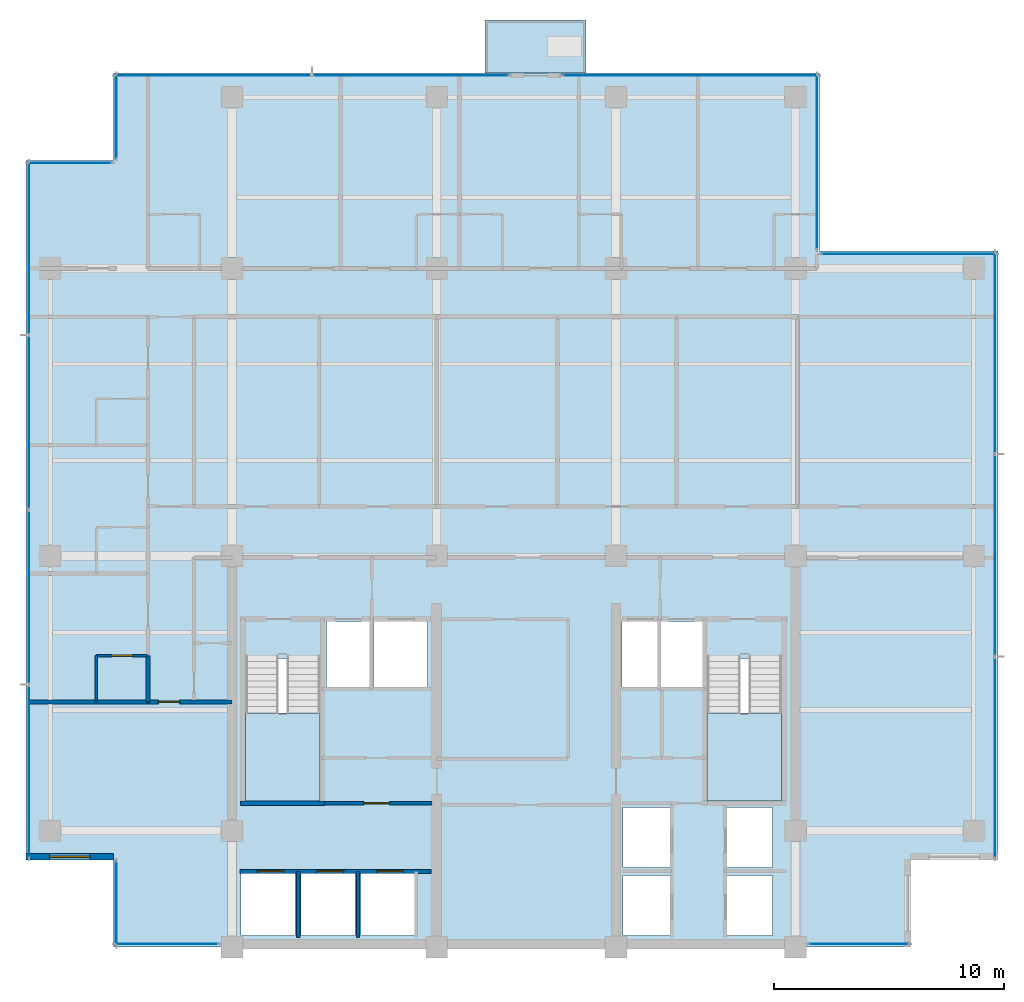
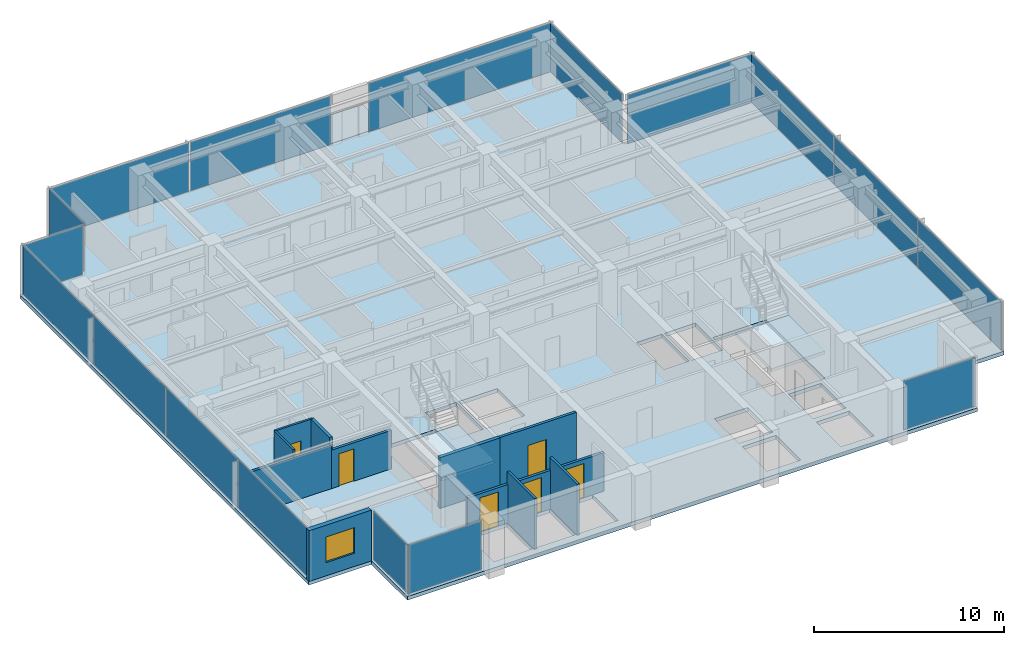
# One storey, part 6 of 15: 17 plates, 11 walls, 6 doors, 4 slabs, 1 window, 7 openings, 13 elements without a shape of their own.
"""IFC4 building model written with IfcOpenShell, lengths in metres."""

from ifc_helpers import new_model, si_unit, direction, frame, frame_2d, origin, origin_2d, place, context, subcontext, project, spatial, polyline, rectangle, outline, extrude, material, layer, layer_set, type_object, element, fill, aggregate, save


model = new_model("IFC4")

# Units and contexts
model_context = context("Model", 3, precision=1e-05, world=origin(), true_north=direction((0.0, 1.0)))
body_context = subcontext(model_context, "Body", "Model", "MODEL_VIEW")
ifc_project = project(units=[si_unit("LENGTHUNIT", "METRE"), si_unit("AREAUNIT", "SQUARE_METRE"), si_unit("VOLUMEUNIT", "CUBIC_METRE"), si_unit("PLANEANGLEUNIT", "RADIAN"), si_unit("MASSUNIT", "GRAM", prefix="KILO")], contexts=[model_context])

# Site, building, storey
site_placement = place(None, origin())
site = spatial("IfcSite", under=ifc_project, at=site_placement, CompositionType="ELEMENT")
building_placement = place(site_placement, origin())
building = spatial("IfcBuilding", under=site, at=building_placement, Name="Qalmaran Belvedere Hotel", CompositionType="ELEMENT")
storey_placement = place(building_placement, frame((0.0, 0.0, 203.89990234375)))
storey = spatial("IfcBuildingStorey", under=building, at=storey_placement, Name="L51", CompositionType="ELEMENT", Elevation=203.89990234375)

# Curtain wall, plate
ifc_material_1 = material(Name="Anodised Bronze Aluminium", Category="aluminium")
ifc_layer_1 = layer(ifc_material_1, 0.18994140625, Name="Anodised Bronze Aluminium")
ifc_layer_set_1 = layer_set([ifc_layer_1], Name="Anodised Bronze Aluminium")
curtain_wall_type = type_object("IfcCurtainWallType", Name="CW5-TOWER-UPPER", PredefinedType="NOTDEFINED", material=ifc_layer_set_1)
curtain_wall_1_placement = place(storey_placement, origin())
curtain_wall_1 = element("IfcCurtainWall", 1, at=curtain_wall_1_placement, inside=storey, type_object=curtain_wall_type, Name="L51 Curtain Wall CW5", PredefinedType="NOTDEFINED")
ifc_material_2 = material(Name="Solar-Control Double Glazing", Category="glass")
ifc_layer_2 = layer(ifc_material_2, 0.028076171875, Name="Solar-Control Double Glazing")
ifc_layer_set_2 = layer_set([ifc_layer_2], Name="Solar-Control Double Glazing")
plate_type = type_object("IfcPlateType", Name="CWP-VISION-28", PredefinedType="CURTAIN_PANEL", material=ifc_layer_set_2)
plate_1_placement = place(storey_placement, frame((17.467529296875, 3.6201171875, 0.065185546875), z_axis=(0.0, 0.0, 1.0), x_axis=(1.0, 0.0, 0.0)))
plate_1 = element("IfcPlate", 2, at=plate_1_placement, type_object=plate_type, Name="CW5 panel 1.1", PredefinedType="CURTAIN_PANEL", context=body_context, shape_type="SweptSolid", body=[
    extrude(rectangle(XDim=4.5048828125, YDim=0.028076171875, at=origin_2d()), origin(), (0.0, 0.0, 1.0), 3.1298828125),
])
aggregate(curtain_wall_1, [plate_1])

curtain_wall_2_placement = place(storey_placement, origin())
curtain_wall_2 = element("IfcCurtainWall", 3, at=curtain_wall_2_placement, inside=storey, type_object=curtain_wall_type, Name="L51 Curtain Wall CW5", PredefinedType="NOTDEFINED")
plate_2_placement = place(storey_placement, frame((47.5576171875, 3.6201171875, 0.065185546875), z_axis=(0.0, 0.0, 1.0), x_axis=(1.0, 0.0, 0.0)))
plate_2 = element("IfcPlate", 4, at=plate_2_placement, type_object=plate_type, Name="CW5 panel 1.1", PredefinedType="CURTAIN_PANEL", context=body_context, shape_type="SweptSolid", body=[
    extrude(rectangle(XDim=4.35498046875, YDim=0.028076171875, at=origin_2d()), origin(), (0.0, 0.0, 1.0), 3.1298828125),
])
aggregate(curtain_wall_2, [plate_2])

# Curtain wall, plates
curtain_wall_3_placement = place(storey_placement, origin())
curtain_wall_3 = element("IfcCurtainWall", 5, at=curtain_wall_3_placement, inside=storey, type_object=curtain_wall_type, Name="L51 Curtain Wall CW5", PredefinedType="NOTDEFINED")
plate_3_placement = place(storey_placement, frame((53.47998046875, 11.724609375, 0.065185546875), z_axis=(0.0, 0.0, 1.0), x_axis=(0.0, 1.0, 0.0)))
plate_3 = element("IfcPlate", 6, at=plate_3_placement, type_object=plate_type, Name="CW5 panel 1.1", PredefinedType="CURTAIN_PANEL", context=body_context, shape_type="SweptSolid", body=[
    extrude(rectangle(XDim=8.71923828125, YDim=0.028076171875, at=origin_2d()), origin(), (0.0, 0.0, 1.0), 3.1298828125),
])
plate_4_placement = place(storey_placement, frame((53.47998046875, 20.52490234375, 0.065185546875), z_axis=(0.0, 0.0, 1.0), x_axis=(0.0, 1.0, 0.0)))
plate_4 = element("IfcPlate", 7, at=plate_4_placement, type_object=plate_type, Name="CW5 panel 2.1", PredefinedType="CURTAIN_PANEL", context=body_context, shape_type="SweptSolid", body=[
    extrude(rectangle(XDim=8.751708984375, YDim=0.028076171875, at=origin_2d()), origin(), (0.0, 0.0, 1.0), 3.1298828125),
])
plate_5_placement = place(storey_placement, frame((53.47998046875, 29.325439453125, 0.065185546875), z_axis=(0.0, 0.0, 1.0), x_axis=(0.0, 1.0, 0.0)))
plate_5 = element("IfcPlate", 8, at=plate_5_placement, type_object=plate_type, Name="CW5 panel 3.1", PredefinedType="CURTAIN_PANEL", context=body_context, shape_type="SweptSolid", body=[
    extrude(rectangle(XDim=8.71923828125, YDim=0.028076171875, at=origin_2d()), origin(), (0.0, 0.0, 1.0), 3.1298828125),
])
aggregate(curtain_wall_3, [plate_3, plate_4, plate_5])

# Curtain wall, plate
curtain_wall_4_placement = place(storey_placement, origin())
curtain_wall_4 = element("IfcCurtainWall", 9, at=curtain_wall_4_placement, inside=storey, type_object=curtain_wall_type, Name="L51 Curtain Wall CW5", PredefinedType="NOTDEFINED")
plate_6_placement = place(storey_placement, frame((49.72509765625, 33.6298828125, 0.065185546875), z_axis=(0.0, 0.0, 1.0), x_axis=(-1.0, 0.0, 0.0)))
plate_6 = element("IfcPlate", 10, at=plate_6_placement, type_object=plate_type, Name="CW5 panel 1.1", PredefinedType="CURTAIN_PANEL", context=body_context, shape_type="SweptSolid", body=[
    extrude(rectangle(XDim=7.6201171875, YDim=0.028076171875, at=origin_2d()), origin(), (0.0, 0.0, 1.0), 3.1298828125),
])
aggregate(curtain_wall_4, [plate_6])

curtain_wall_5_placement = place(storey_placement, origin())
curtain_wall_5 = element("IfcCurtainWall", 11, at=curtain_wall_5_placement, inside=storey, type_object=curtain_wall_type, Name="L51 Curtain Wall CW5", PredefinedType="NOTDEFINED")
plate_7_placement = place(storey_placement, frame((45.72998046875, 37.625, 0.065185546875), z_axis=(0.0, 0.0, 1.0), x_axis=(0.0, 1.0, 0.0)))
plate_7 = element("IfcPlate", 12, at=plate_7_placement, type_object=plate_type, Name="CW5 panel 1.1", PredefinedType="CURTAIN_PANEL", context=body_context, shape_type="SweptSolid", body=[
    extrude(rectangle(XDim=7.6201171875, YDim=0.028076171875, at=origin_2d()), origin(), (0.0, 0.0, 1.0), 3.1298828125),
])
aggregate(curtain_wall_5, [plate_7])

# Curtain wall, plates
curtain_wall_6_placement = place(storey_placement, origin())
curtain_wall_6 = element("IfcCurtainWall", 13, at=curtain_wall_6_placement, inside=storey, type_object=curtain_wall_type, Name="L51 Curtain Wall CW5", PredefinedType="NOTDEFINED")
plate_8_placement = place(storey_placement, frame((28.0712890625, 41.3798828125, 0.065185546875), z_axis=(0.0, 0.0, 1.0), x_axis=(-1.0, 0.0, 0.0)))
plate_8 = element("IfcPlate", 14, at=plate_8_placement, type_object=plate_type, Name="CW5 panel 1.1", PredefinedType="CURTAIN_PANEL", context=body_context, shape_type="SweptSolid", body=[
    extrude(rectangle(XDim=8.527587890625, YDim=0.028076171875, at=origin_2d()), origin(), (0.0, 0.0, 1.0), 3.1298828125),
])
plate_9_placement = place(storey_placement, frame((19.478759765625, 41.3798828125, 0.065185546875), z_axis=(0.0, 0.0, 1.0), x_axis=(-1.0, 0.0, 0.0)))
plate_9 = element("IfcPlate", 15, at=plate_9_placement, type_object=plate_type, Name="CW5 panel 2.1", PredefinedType="CURTAIN_PANEL", context=body_context, shape_type="SweptSolid", body=[
    extrude(rectangle(XDim=8.527587890625, YDim=0.028076171875, at=origin_2d()), origin(), (0.0, 0.0, 1.0), 3.1298828125),
])
aggregate(curtain_wall_6, [plate_8, plate_9])

# Curtain wall, plate
curtain_wall_7_placement = place(storey_placement, origin())
curtain_wall_7 = element("IfcCurtainWall", 16, at=curtain_wall_7_placement, inside=storey, type_object=curtain_wall_type, Name="L51 Curtain Wall CW5", PredefinedType="NOTDEFINED")
plate_10_placement = place(storey_placement, frame((40.22509765625, 41.3798828125, 0.065185546875), z_axis=(0.0, 0.0, 1.0), x_axis=(-1.0, 0.0, 0.0)))
plate_10 = element("IfcPlate", 17, at=plate_10_placement, type_object=plate_type, Name="CW5 panel 1.1", PredefinedType="CURTAIN_PANEL", context=body_context, shape_type="SweptSolid", body=[
    extrude(rectangle(XDim=11.1201171875, YDim=0.028076171875, at=origin_2d()), origin(), (0.0, 0.0, 1.0), 3.1298828125),
])
aggregate(curtain_wall_7, [plate_10])

curtain_wall_8_placement = place(storey_placement, origin())
curtain_wall_8 = element("IfcCurtainWall", 18, at=curtain_wall_8_placement, inside=storey, type_object=curtain_wall_type, Name="L51 Curtain Wall CW5", PredefinedType="NOTDEFINED")
plate_11_placement = place(storey_placement, frame((15.27001953125, 39.60009765625, 0.065185546875), z_axis=(0.0, 0.0, 1.0), x_axis=(0.0, -1.0, 0.0)))
plate_11 = element("IfcPlate", 19, at=plate_11_placement, type_object=plate_type, Name="CW5 panel 1.1", PredefinedType="CURTAIN_PANEL", context=body_context, shape_type="SweptSolid", body=[
    extrude(rectangle(XDim=3.669921875, YDim=0.028076171875, at=origin_2d()), origin(), (0.0, 0.0, 1.0), 3.1298828125),
])
aggregate(curtain_wall_8, [plate_11])

curtain_wall_9_placement = place(storey_placement, origin())
curtain_wall_9 = element("IfcCurtainWall", 20, at=curtain_wall_9_placement, inside=storey, type_object=curtain_wall_type, Name="L51 Curtain Wall CW5", PredefinedType="NOTDEFINED")
plate_12_placement = place(storey_placement, frame((13.25, 37.580078125, 0.065185546875), z_axis=(0.0, 0.0, 1.0), x_axis=(-1.0, 0.0, 0.0)))
plate_12 = element("IfcPlate", 21, at=plate_12_placement, type_object=plate_type, Name="CW5 panel 1.1", PredefinedType="CURTAIN_PANEL", context=body_context, shape_type="SweptSolid", body=[
    extrude(rectangle(XDim=3.669921875, YDim=0.028076171875, at=origin_2d()), origin(), (0.0, 0.0, 1.0), 3.1298828125),
])
aggregate(curtain_wall_9, [plate_12])

# Curtain wall, plates
curtain_wall_10_placement = place(storey_placement, origin())
curtain_wall_10 = element("IfcCurtainWall", 22, at=curtain_wall_10_placement, inside=storey, type_object=curtain_wall_type, Name="L51 Curtain Wall CW5", PredefinedType="NOTDEFINED")
plate_13_placement = place(storey_placement, frame((11.469970703125, 33.8837890625, 0.065185546875), z_axis=(0.0, 0.0, 1.0), x_axis=(0.0, -1.0, 0.0)))
plate_13 = element("IfcPlate", 23, at=plate_13_placement, type_object=plate_type, Name="CW5 panel 1.1", PredefinedType="CURTAIN_PANEL", context=body_context, shape_type="SweptSolid", body=[
    extrude(rectangle(XDim=7.50244140625, YDim=0.028076171875, at=origin_2d()), origin(), (0.0, 0.0, 1.0), 3.1298828125),
])
plate_14_placement = place(storey_placement, frame((11.469970703125, 26.300048828125, 0.065185546875), z_axis=(0.0, 0.0, 1.0), x_axis=(0.0, -1.0, 0.0)))
plate_14 = element("IfcPlate", 24, at=plate_14_placement, type_object=plate_type, Name="CW5 panel 2.1", PredefinedType="CURTAIN_PANEL", context=body_context, shape_type="SweptSolid", body=[
    extrude(rectangle(XDim=7.534912109375, YDim=0.028076171875, at=origin_2d()), origin(), (0.0, 0.0, 1.0), 3.1298828125),
])
plate_15_placement = place(storey_placement, frame((11.469970703125, 18.699951171875, 0.065185546875), z_axis=(0.0, 0.0, 1.0), x_axis=(0.0, -1.0, 0.0)))
plate_15 = element("IfcPlate", 25, at=plate_15_placement, type_object=plate_type, Name="CW5 panel 3.1", PredefinedType="CURTAIN_PANEL", context=body_context, shape_type="SweptSolid", body=[
    extrude(rectangle(XDim=7.534912109375, YDim=0.028076171875, at=origin_2d()), origin(), (0.0, 0.0, 1.0), 3.1298828125),
])
plate_16_placement = place(storey_placement, frame((11.469970703125, 11.1162109375, 0.065185546875), z_axis=(0.0, 0.0, 1.0), x_axis=(0.0, -1.0, 0.0)))
plate_16 = element("IfcPlate", 26, at=plate_16_placement, type_object=plate_type, Name="CW5 panel 4.1", PredefinedType="CURTAIN_PANEL", context=body_context, shape_type="SweptSolid", body=[
    extrude(rectangle(XDim=7.50244140625, YDim=0.028076171875, at=origin_2d()), origin(), (0.0, 0.0, 1.0), 3.1298828125),
])
aggregate(curtain_wall_10, [plate_13, plate_14, plate_15, plate_16])

# Curtain wall, plate
curtain_wall_11_placement = place(storey_placement, origin())
curtain_wall_11 = element("IfcCurtainWall", 27, at=curtain_wall_11_placement, inside=storey, type_object=curtain_wall_type, Name="L51 Curtain Wall CW5", PredefinedType="NOTDEFINED")
plate_17_placement = place(storey_placement, frame((15.27001953125, 5.39990234375, 0.065185546875), z_axis=(0.0, 0.0, 1.0), x_axis=(0.0, -1.0, 0.0)))
plate_17 = element("IfcPlate", 28, at=plate_17_placement, type_object=plate_type, Name="CW5 panel 1.1", PredefinedType="CURTAIN_PANEL", context=body_context, shape_type="SweptSolid", body=[
    extrude(rectangle(XDim=3.669921875, YDim=0.028076171875, at=origin_2d()), origin(), (0.0, 0.0, 1.0), 3.1298828125),
])
aggregate(curtain_wall_11, [plate_17])

# Slab
ifc_material_3 = material(Name="Concrete C40/50", Category="concrete")
ifc_layer_3 = layer(ifc_material_3, 0.219970703125, Name="Concrete C40/50")
ifc_layer_set_3 = layer_set([ifc_layer_3], Name="Concrete C40/50")
slab_type_1 = type_object("IfcSlabType", Name="SLB-BAL-220", PredefinedType="USERDEFINED", material=ifc_layer_set_3)
slab_1_placement = place(storey_placement, frame((0.0, 0.0, -0.219970703125)))
element("IfcSlab", 29, at=slab_1_placement, inside=storey, type_object=slab_type_1, Name="L51 Planted Tree Balcony Slab 1", ObjectType="BALCONY", PredefinedType="USERDEFINED", context=body_context, shape_type="SweptSolid", body=[
    extrude(outline(polyline([(31.300048828125, 41.5), (35.699951171875, 41.5), (35.699951171875, 43.800048828125), (31.300048828125, 43.800048828125), (31.300048828125, 41.5)])), origin(), (0.0, 0.0, 1.0), 0.219970703125),
])

# Stair, slab
stair_type_1 = type_object("IfcStairType", Name="STR-ST-1-1450-R1750", PredefinedType="HALF_TURN_STAIR", material=ifc_material_3)
stair_1_placement = place(storey_placement, origin())
stair_1 = element("IfcStair", 30, at=stair_1_placement, inside=storey, type_object=stair_type_1, Name="L51 West Core Exit Stair ST-1", PredefinedType="HALF_TURN_STAIR")
ifc_layer_4 = layer(ifc_material_3, 0.199951171875, Name="Concrete C40/50")
ifc_layer_set_4 = layer_set([ifc_layer_4], Name="Concrete C40/50")
slab_type_2 = type_object("IfcSlabType", Name="SLB-STAIR-LANDING-200", PredefinedType="LANDING", material=ifc_layer_set_4)
slab_2_placement = place(storey_placement, frame((0.0, 0.0, 1.550048828125)))
slab_2 = element("IfcSlab", 31, at=slab_2_placement, type_object=slab_type_2, Name="ST-1 landing 1", PredefinedType="LANDING", context=body_context, shape_type="SweptSolid", body=[
    extrude(outline(polyline([(20.8798828125, 13.669921875), (20.8798828125, 9.85009765625), (24.1201171875, 9.85009765625), (24.1201171875, 13.669921875), (20.8798828125, 13.669921875)])), origin(), (0.0, 0.0, 1.0), 0.199951171875),
])
aggregate(stair_1, [slab_2])

stair_type_2 = type_object("IfcStairType", Name="STR-ST-2-1450-R1750", PredefinedType="HALF_TURN_STAIR", material=ifc_material_3)
stair_2_placement = place(storey_placement, origin())
stair_2 = element("IfcStair", 32, at=stair_2_placement, inside=storey, type_object=stair_type_2, Name="L51 East Core Exit Stair ST-2", PredefinedType="HALF_TURN_STAIR")
slab_3_placement = place(storey_placement, frame((0.0, 0.0, 1.550048828125)))
slab_3 = element("IfcSlab", 33, at=slab_3_placement, type_object=slab_type_2, Name="ST-2 landing 1", PredefinedType="LANDING", context=body_context, shape_type="SweptSolid", body=[
    extrude(outline(polyline([(40.9599609375, 13.669921875), (40.9599609375, 9.85009765625), (44.199951171875, 9.85009765625), (44.199951171875, 13.669921875), (40.9599609375, 13.669921875)])), origin(), (0.0, 0.0, 1.0), 0.199951171875),
])
aggregate(stair_2, [slab_3])

# Slab
ifc_layer_5 = layer(ifc_material_3, 0.239990234375, Name="Concrete C40/50")
ifc_layer_set_5 = layer_set([ifc_layer_5], Name="Concrete C40/50")
slab_type_3 = type_object("IfcSlabType", Name="SLB-Z4-240", PredefinedType="FLOOR", material=ifc_layer_set_5)
slab_4_placement = place(storey_placement, frame((0.0, 0.0, -0.239990234375)))
element("IfcSlab", 34, at=slab_4_placement, inside=storey, type_object=slab_type_3, Name="L51 Structural Floor Slab", PredefinedType="FLOOR", context=body_context, shape_type="SweptSolid", body=[
    extrude(outline(polyline([(15.14990234375, 3.5), (49.800048828125, 3.5), (49.800048828125, 7.300048828125), (53.60009765625, 7.300048828125), (53.60009765625, 33.75), (45.85009765625, 33.75), (45.85009765625, 41.5), (15.14990234375, 41.5), (15.14990234375, 37.699951171875), (11.35009765625, 37.699951171875), (11.35009765625, 7.300048828125), (15.14990234375, 7.300048828125), (15.14990234375, 3.5)]), holes=[polyline([(20.8798828125, 9.85009765625), (24.1201171875, 9.85009765625), (24.1201171875, 16.0400390625), (20.8798828125, 16.0400390625), (20.8798828125, 9.85009765625)]), polyline([(40.9599609375, 9.85009765625), (44.199951171875, 9.85009765625), (44.199951171875, 16.0400390625), (40.9599609375, 16.0400390625), (40.9599609375, 9.85009765625)]), polyline([(37.300048828125, 4.0), (39.35009765625, 4.0), (39.35009765625, 6.60009765625), (37.300048828125, 6.60009765625), (37.300048828125, 4.0)]), polyline([(37.300048828125, 6.949951171875), (39.35009765625, 6.949951171875), (39.35009765625, 9.550048828125), (37.300048828125, 9.550048828125), (37.300048828125, 6.949951171875)]), polyline([(41.800048828125, 4.0), (43.800048828125, 4.0), (43.800048828125, 6.60009765625), (41.800048828125, 6.60009765625), (41.800048828125, 4.0)]), polyline([(41.800048828125, 6.949951171875), (43.800048828125, 6.949951171875), (43.800048828125, 9.550048828125), (41.800048828125, 9.550048828125), (41.800048828125, 6.949951171875)]), polyline([(20.699951171875, 4.0), (23.050048828125, 4.0), (23.050048828125, 6.699951171875), (20.699951171875, 6.699951171875), (20.699951171875, 4.0)]), polyline([(23.300048828125, 4.0), (25.64990234375, 4.0), (25.64990234375, 6.699951171875), (23.300048828125, 6.699951171875), (23.300048828125, 4.0)]), polyline([(25.89990234375, 4.0), (28.25, 4.0), (28.25, 6.699951171875), (25.89990234375, 6.699951171875), (25.89990234375, 4.0)]), polyline([(24.39990234375, 14.800048828125), (26.300048828125, 14.800048828125), (26.300048828125, 17.64990234375), (24.39990234375, 17.64990234375), (24.39990234375, 14.800048828125)]), polyline([(38.949951171875, 14.800048828125), (40.820068359375, 14.800048828125), (40.820068359375, 17.64990234375), (38.949951171875, 17.64990234375), (38.949951171875, 14.800048828125)]), polyline([(26.449951171875, 14.800048828125), (28.800048828125, 14.800048828125), (28.800048828125, 17.64990234375), (26.449951171875, 17.64990234375), (26.449951171875, 14.800048828125)]), polyline([(37.25, 14.800048828125), (38.800048828125, 14.800048828125), (38.800048828125, 17.64990234375), (37.25, 17.64990234375), (37.25, 14.800048828125)])]), origin(), (0.0, 0.0, 1.0), 0.239990234375),
])

# Wall, opening, window
ifc_material_4 = material(Name="Anodised Bronze Cladding")
ifc_layer_6 = layer(ifc_material_4, 0.280029296875, Name="Anodised Bronze Cladding")
ifc_layer_set_6 = layer_set([ifc_layer_6], Name="Anodised Bronze Cladding")
wall_type_1 = type_object("IfcWallType", Name="WL-EXT-BRNZ-280", PredefinedType="SOLIDWALL", material=ifc_layer_set_6)
wall_1_placement = place(storey_placement, frame((11.35009765625, 7.419921875, 0.0), z_axis=(0.0, 0.0, 1.0), x_axis=(1.0, 0.0, 0.0)))
wall_1 = element("IfcWall", 35, at=wall_1_placement, inside=storey, type_object=wall_type_1, Name="L51 Corner Notch Wall 10", PredefinedType="SOLIDWALL", context=body_context, shape_type="SweptSolid", body=[
    extrude(rectangle(XDim=3.7998046875, YDim=0.280029296875, at=frame_2d((1.89990234375, 0.0))), origin(), (0.0, 0.0, 1.0), 3.260009765625),
])
opening_1_placement = place(wall_1_placement, frame((1.02490234375, 0.0, 0.85009765625)))
opening_1 = element("IfcOpeningElement", 36, at=opening_1_placement, cuts=wall_1, Name="Opening W-N17", PredefinedType="OPENING", context=body_context, shape_type="SweptSolid", body=[
    extrude(rectangle(XDim=1.75, YDim=1.64990234375, at=frame_2d((0.875, 0.824951171875))), frame((0.0, 0.14990234375, 0.0), z_axis=(0.0, -1.0, 0.0), x_axis=(1.0, 0.0, 0.0)), (0.0, 0.0, 1.0), 0.300048828125),
])
window_type = type_object("IfcWindowType", Name="WN-NTC-1750X1650", PartitioningType="SINGLE_PANEL", PredefinedType="WINDOW", material=ifc_material_2)
window_placement = place(opening_1_placement, origin())
window = element("IfcWindow", 37, at=window_placement, inside=storey, type_object=window_type, Name="L51 Corner Notch Window 10", OverallHeight=1.64990234375, OverallWidth=1.75, PartitioningType="SINGLE_PANEL", PredefinedType="WINDOW", context=body_context, shape_type="SweptSolid", body=[
    extrude(rectangle(XDim=1.75, YDim=1.64990234375, at=frame_2d((0.875, 0.824951171875))), frame((0.0, 0.030029296875, 0.0), z_axis=(0.0, -1.0, 0.0), x_axis=(1.0, 0.0, 0.0)), (0.0, 0.0, 1.0), 0.06005859375),
])
fill(opening_1, window)

# Wall, opening, door
ifc_material_5 = material(Name="Moisture-Resistant Gypsum")
ifc_layer_7 = layer(ifc_material_5, 0.1201171875, Name="Moisture-Resistant Gypsum")
ifc_layer_set_7 = layer_set([ifc_layer_7], Name="Moisture-Resistant Gypsum")
wall_type_2 = type_object("IfcWallType", Name="WL-INT-120-BATH", PredefinedType="PARTITIONING", material=ifc_layer_set_7)
wall_2_placement = place(storey_placement, frame((14.39990234375, 16.159912109375, 0.0), z_axis=(0.0, 0.0, 1.0), x_axis=(1.0, 0.0, 0.0)))
wall_2 = element("IfcWall", 38, at=wall_2_placement, inside=storey, type_object=wall_type_2, Name="L51 Partition WL-L51-WBN00", PredefinedType="PARTITIONING", context=body_context, shape_type="SweptSolid", body=[
    extrude(rectangle(XDim=2.25, YDim=0.1201171875, at=frame_2d((1.125, 0.0))), origin(), (0.0, 0.0, 1.0), 3.260009765625),
])
opening_2_placement = place(wall_2_placement, frame((1.56494140625, 0.0, 0.0), z_axis=(0.0, 0.0, 1.0), x_axis=(-1.0, 0.0, 0.0)))
opening_2 = element("IfcOpeningElement", 39, at=opening_2_placement, cuts=wall_2, Name="Opening D-BATH", PredefinedType="OPENING", context=body_context, shape_type="SweptSolid", body=[
    extrude(rectangle(XDim=0.8798828125, YDim=2.080078125, at=frame_2d((0.43994140625, 1.0400390625))), frame((0.0, 0.070068359375, 0.0), z_axis=(0.0, -1.0, 0.0), x_axis=(1.0, 0.0, 0.0)), (0.0, 0.0, 1.0), 0.14013671875),
])
ifc_material_6 = material(Name="Engineered Oak Veneer")
door_type_1 = type_object("IfcDoorType", Name="DR-INT-BATH-880X2080", OperationType="NOTDEFINED", PredefinedType="DOOR", material=ifc_material_6)
door_1_placement = place(opening_2_placement, origin())
door_1 = element("IfcDoor", 40, at=door_1_placement, inside=storey, type_object=door_type_1, Name="L51 W Ensuite Door 01", OperationType="SINGLE_SWING_RIGHT", OverallHeight=2.080078125, OverallWidth=0.8798828125, PredefinedType="DOOR", context=body_context, shape_type="SweptSolid", body=[
    extrude(rectangle(XDim=0.8798828125, YDim=2.080078125, at=frame_2d((0.43994140625, 1.0400390625))), frame((0.0, 0.02490234375, 0.0), z_axis=(0.0, -1.0, 0.0), x_axis=(1.0, 0.0, 0.0)), (0.0, 0.0, 1.0), 0.050048828125),
])
fill(opening_2, door_1)

# Walls
wall_3_placement = place(storey_placement, frame((14.39990234375, 14.14990234375, 0.0), z_axis=(0.0, 0.0, 1.0), x_axis=(0.0, 1.0, 0.0)))
element("IfcWall", 41, at=wall_3_placement, inside=storey, type_object=wall_type_2, Name="L51 Partition WL-L51-WBS00", PredefinedType="PARTITIONING", context=body_context, shape_type="SweptSolid", body=[
    extrude(rectangle(XDim=2.010009765625, YDim=0.1201171875, at=frame_2d((1.0048828125, 0.0))), origin(), (0.0, 0.0, 1.0), 3.260009765625),
])
ifc_material_7 = material(Name="Gypsum Stud Partition")
ifc_layer_8 = layer(ifc_material_7, 0.14990234375, Name="Gypsum Stud Partition")
ifc_layer_set_8 = layer_set([ifc_layer_8], Name="Gypsum Stud Partition")
wall_type_3 = type_object("IfcWallType", Name="WL-INT-150-EI120", PredefinedType="PARTITIONING", material=ifc_layer_set_8)
for number, where, z_axis, x_axis, name in (
    (42, (23.179931640625, 3.89990234375, 0.0), (0.0, 0.0, 1.0), (0.0, 1.0, 0.0), "L51 Partition WL-POM1-L51"),
    (43, (25.780029296875, 3.89990234375, 0.0), (0.0, 0.0, 1.0), (0.0, 1.0, 0.0), "L51 Partition WL-POM2-L51"),
):
    element("IfcWall", number, at=place(storey_placement, frame(where, z_axis=z_axis, x_axis=x_axis)), inside=storey, type_object=wall_type_3, Name=name, PredefinedType="PARTITIONING", context=body_context, shape_type="SweptSolid", body=[
        extrude(rectangle(XDim=2.880126953125, YDim=0.14990234375, at=frame_2d((1.43994140625, 0.0))), origin(), (0.0, 0.0, 1.0), 3.260009765625),
    ])

# Wall, openings, doors
ifc_layer_9 = layer(ifc_material_7, 0.159912109375, Name="Gypsum Stud Partition")
ifc_layer_set_9 = layer_set([ifc_layer_9], Name="Gypsum Stud Partition")
wall_type_4 = type_object("IfcWallType", Name="WL-INT-160-EI120", PredefinedType="PARTITIONING", material=ifc_layer_set_9)
wall_4_placement = place(storey_placement, frame((20.64990234375, 6.780029296875, 0.0), z_axis=(0.0, 0.0, 1.0), x_axis=(1.0, 0.0, 0.0)))
wall_4 = element("IfcWall", 44, at=wall_4_placement, inside=storey, type_object=wall_type_4, Name="L51 Partition WL-POS-L51", PredefinedType="PARTITIONING", context=body_context, shape_type="SweptSolid", body=[
    extrude(rectangle(XDim=8.300048828125, YDim=0.159912109375, at=frame_2d((4.14990234375, 0.0))), origin(), (0.0, 0.0, 1.0), 2.47216796875),
])
opening_3_placement = place(wall_4_placement, frame((0.75, 0.0, 0.0)))
opening_3 = element("IfcOpeningElement", 45, at=opening_3_placement, cuts=wall_4, Name="Opening LD-PO", PredefinedType="OPENING", context=body_context, shape_type="SweptSolid", body=[
    extrude(rectangle(XDim=1.14990234375, YDim=2.199951171875, at=frame_2d((0.574951171875, 1.10009765625))), frame((0.0, 0.08984375, 0.0), z_axis=(0.0, -1.0, 0.0), x_axis=(1.0, 0.0, 0.0)), (0.0, 0.0, 1.0), 0.179931640625),
])
opening_4_placement = place(wall_4_placement, frame((3.35009765625, 0.0, 0.0)))
opening_4 = element("IfcOpeningElement", 46, at=opening_4_placement, cuts=wall_4, Name="Opening LD-PO", PredefinedType="OPENING", context=body_context, shape_type="SweptSolid", body=[
    extrude(rectangle(XDim=1.14990234375, YDim=2.199951171875, at=frame_2d((0.574951171875, 1.10009765625))), frame((0.0, 0.08984375, 0.0), z_axis=(0.0, -1.0, 0.0), x_axis=(1.0, 0.0, 0.0)), (0.0, 0.0, 1.0), 0.179931640625),
])
opening_5_placement = place(wall_4_placement, frame((5.949951171875, 0.0, 0.0)))
opening_5 = element("IfcOpeningElement", 47, at=opening_5_placement, cuts=wall_4, Name="Opening LD-PO", PredefinedType="OPENING", context=body_context, shape_type="SweptSolid", body=[
    extrude(rectangle(XDim=1.14990234375, YDim=2.199951171875, at=frame_2d((0.574951171875, 1.10009765625))), frame((0.0, 0.08984375, 0.0), z_axis=(0.0, -1.0, 0.0), x_axis=(1.0, 0.0, 0.0)), (0.0, 0.0, 1.0), 0.179931640625),
])
door_type_2 = type_object("IfcDoorType", Name="DR-LIFT-PO-1150X2200", OperationType="DOUBLE_DOOR_SLIDING", PredefinedType="DOOR", material=ifc_material_1)
door_2_placement = place(opening_3_placement, origin())
door_2 = element("IfcDoor", 48, at=door_2_placement, inside=storey, type_object=door_type_2, Name="L51 PO1 Shuttle Landing Door", OperationType="DOUBLE_DOOR_SLIDING", OverallHeight=2.199951171875, OverallWidth=1.14990234375, PredefinedType="DOOR", context=body_context, shape_type="SweptSolid", body=[
    extrude(rectangle(XDim=1.14990234375, YDim=2.199951171875, at=frame_2d((0.574951171875, 1.10009765625))), frame((0.0, 0.02490234375, 0.0), z_axis=(0.0, -1.0, 0.0), x_axis=(1.0, 0.0, 0.0)), (0.0, 0.0, 1.0), 0.050048828125),
])
fill(opening_3, door_2)
door_3_placement = place(opening_4_placement, origin())
door_3 = element("IfcDoor", 49, at=door_3_placement, inside=storey, type_object=door_type_2, Name="L51 PO2 Shuttle Landing Door", OperationType="DOUBLE_DOOR_SLIDING", OverallHeight=2.199951171875, OverallWidth=1.14990234375, PredefinedType="DOOR", context=body_context, shape_type="SweptSolid", body=[
    extrude(rectangle(XDim=1.14990234375, YDim=2.199951171875, at=frame_2d((0.574951171875, 1.10009765625))), frame((0.0, 0.02490234375, 0.0), z_axis=(0.0, -1.0, 0.0), x_axis=(1.0, 0.0, 0.0)), (0.0, 0.0, 1.0), 0.050048828125),
])
fill(opening_4, door_3)
door_4_placement = place(opening_5_placement, origin())
door_4 = element("IfcDoor", 50, at=door_4_placement, inside=storey, type_object=door_type_2, Name="L51 PO3 Shuttle Landing Door", OperationType="DOUBLE_DOOR_SLIDING", OverallHeight=2.199951171875, OverallWidth=1.14990234375, PredefinedType="DOOR", context=body_context, shape_type="SweptSolid", body=[
    extrude(rectangle(XDim=1.14990234375, YDim=2.199951171875, at=frame_2d((0.574951171875, 1.10009765625))), frame((0.0, 0.02490234375, 0.0), z_axis=(0.0, -1.0, 0.0), x_axis=(1.0, 0.0, 0.0)), (0.0, 0.0, 1.0), 0.050048828125),
])
fill(opening_5, door_4)

# Wall, opening, door
wall_5_placement = place(storey_placement, frame((24.199951171875, 9.739990234375, 0.0), z_axis=(0.0, 0.0, 1.0), x_axis=(1.0, 0.0, 0.0)))
wall_5 = element("IfcWall", 51, at=wall_5_placement, inside=storey, type_object=wall_type_4, Name="L51 Partition WL-PON-L51", PredefinedType="PARTITIONING", context=body_context, shape_type="SweptSolid", body=[
    extrude(rectangle(XDim=4.800048828125, YDim=0.159912109375, at=frame_2d((2.39990234375, 0.0))), origin(), (0.0, 0.0, 1.0), 3.260009765625),
])
opening_6_placement = place(wall_5_placement, frame((1.85009765625, 0.0, 0.0)))
opening_6 = element("IfcOpeningElement", 52, at=opening_6_placement, cuts=wall_5, Name="Opening FD90", PredefinedType="OPENING", context=body_context, shape_type="SweptSolid", body=[
    extrude(rectangle(XDim=1.10009765625, YDim=2.14990234375, at=frame_2d((0.550048828125, 1.074951171875))), frame((0.0, 0.08984375, 0.0), z_axis=(0.0, -1.0, 0.0), x_axis=(1.0, 0.0, 0.0)), (0.0, 0.0, 1.0), 0.179931640625),
])
ifc_material_8 = material(Name="Steel S355JR", Category="steel")
door_type_3 = type_object("IfcDoorType", Name="DR-FD90-1100X2150", OperationType="NOTDEFINED", PredefinedType="DOOR", material=ifc_material_8)
door_5_placement = place(opening_6_placement, origin())
door_5 = element("IfcDoor", 53, at=door_5_placement, inside=storey, type_object=door_type_3, Name="L51 Shuttle Lobby Passage Door", OperationType="SINGLE_SWING_LEFT", OverallHeight=2.14990234375, OverallWidth=1.10009765625, PredefinedType="DOOR", context=body_context, shape_type="SweptSolid", body=[
    extrude(rectangle(XDim=1.10009765625, YDim=2.14990234375, at=frame_2d((0.550048828125, 1.074951171875))), frame((0.0, 0.02490234375, 0.0), z_axis=(0.0, -1.0, 0.0), x_axis=(1.0, 0.0, 0.0)), (0.0, 0.0, 1.0), 0.050048828125),
])
fill(opening_6, door_5)

ifc_layer_10 = layer(ifc_material_7, 0.159912109375, Name="Gypsum Stud Partition")
ifc_layer_set_10 = layer_set([ifc_layer_10], Name="Gypsum Stud Partition")
wall_type_5 = type_object("IfcWallType", Name="WL-INT-160-EI60", PredefinedType="PARTITIONING", material=ifc_layer_set_10)
wall_6_placement = place(storey_placement, frame((16.64990234375, 14.14990234375, 0.0), z_axis=(0.0, 0.0, 1.0), x_axis=(1.0, 0.0, 0.0)))
wall_6 = element("IfcWall", 54, at=wall_6_placement, inside=storey, type_object=wall_type_5, Name="L51 Partition WL-L51-SWRL", PredefinedType="PARTITIONING", context=body_context, shape_type="SweptSolid", body=[
    extrude(rectangle(XDim=3.650146484375, YDim=0.159912109375, at=frame_2d((1.8251953125, 0.0))), origin(), (0.0, 0.0, 1.0), 2.47216796875),
])
opening_7_placement = place(wall_6_placement, frame((1.369873046875, 0.0, 0.0), z_axis=(0.0, 0.0, 1.0), x_axis=(-1.0, 0.0, 0.0)))
opening_7 = element("IfcOpeningElement", 55, at=opening_7_placement, cuts=wall_6, Name="Opening FD60S1", PredefinedType="OPENING", context=body_context, shape_type="SweptSolid", body=[
    extrude(rectangle(XDim=0.919921875, YDim=2.080078125, at=frame_2d((0.4599609375, 1.0400390625))), frame((0.0, 0.08984375, 0.0), z_axis=(0.0, -1.0, 0.0), x_axis=(1.0, 0.0, 0.0)), (0.0, 0.0, 1.0), 0.179931640625),
])
door_type_4 = type_object("IfcDoorType", Name="DR-FD60S-920X2080", OperationType="NOTDEFINED", PredefinedType="DOOR", material=ifc_material_6)
door_6_placement = place(opening_7_placement, origin())
door_6 = element("IfcDoor", 56, at=door_6_placement, inside=storey, type_object=door_type_4, Name="L51 SW Study Door", OperationType="SINGLE_SWING_LEFT", OverallHeight=2.080078125, OverallWidth=0.919921875, PredefinedType="DOOR", context=body_context, shape_type="SweptSolid", body=[
    extrude(rectangle(XDim=0.919921875, YDim=2.080078125, at=frame_2d((0.4599609375, 1.0400390625))), frame((0.0, 0.02490234375, 0.0), z_axis=(0.0, -1.0, 0.0), x_axis=(1.0, 0.0, 0.0)), (0.0, 0.0, 1.0), 0.050048828125),
])
fill(opening_7, door_6)

# Walls
wall_7_placement = place(storey_placement, frame((11.469970703125, 14.14990234375, 0.0), z_axis=(0.0, 0.0, 1.0), x_axis=(1.0, 0.0, 0.0)))
element("IfcWall", 57, at=wall_7_placement, inside=storey, type_object=wall_type_5, Name="L51 Partition WL-L51-WBOT", PredefinedType="PARTITIONING", context=body_context, shape_type="SweptSolid", body=[
    extrude(rectangle(XDim=5.179931640625, YDim=0.159912109375, at=frame_2d((2.58984375, 0.0))), origin(), (0.0, 0.0, 1.0), 2.781982421875),
])
ifc_layer_11 = layer(ifc_material_7, 0.179931640625, Name="Gypsum Stud Partition")
ifc_layer_set_11 = layer_set([ifc_layer_11], Name="Gypsum Stud Partition")
wall_type_6 = type_object("IfcWallType", Name="WL-INT-180-EI60", PredefinedType="PARTITIONING", material=ifc_layer_set_11)
wall_8_placement = place(storey_placement, frame((16.64990234375, 14.14990234375, 0.0), z_axis=(0.0, 0.0, 1.0), x_axis=(0.0, 1.0, 0.0)))
element("IfcWall", 58, at=wall_8_placement, inside=storey, type_object=wall_type_6, Name="L51 Partition WL-L51-WBC00", PredefinedType="PARTITIONING", context=body_context, shape_type="SweptSolid", body=[
    extrude(rectangle(XDim=2.010009765625, YDim=0.179931640625, at=frame_2d((1.0048828125, 0.0))), origin(), (0.0, 0.0, 1.0), 3.260009765625),
])
ifc_material_9 = material(Name="Concrete C50/60", Category="concrete")
ifc_layer_12 = layer(ifc_material_9, 0.2099609375, Name="Concrete C50/60")
ifc_layer_set_12 = layer_set([ifc_layer_12], Name="Concrete C50/60")
wall_type_7 = type_object("IfcWallType", Name="WL-STAIR-210-C50", PredefinedType="SHEAR", material=ifc_layer_set_12)
wall_9_placement = place(storey_placement, frame((20.669921875, 9.7451171875, 0.0), z_axis=(0.0, 0.0, 1.0), x_axis=(1.0, 0.0, 0.0)))
element("IfcWall", 59, at=wall_9_placement, inside=storey, type_object=wall_type_7, Name="L51 Stair ST-1 South Bearing Wall", PredefinedType="SHEAR", context=body_context, shape_type="SweptSolid", body=[
    extrude(rectangle(XDim=3.66015625, YDim=0.2099609375, at=frame_2d((1.830078125, 0.0))), origin(), (0.0, 0.0, 1.0), 3.260009765625),
])

save(model, "model.ifc")
